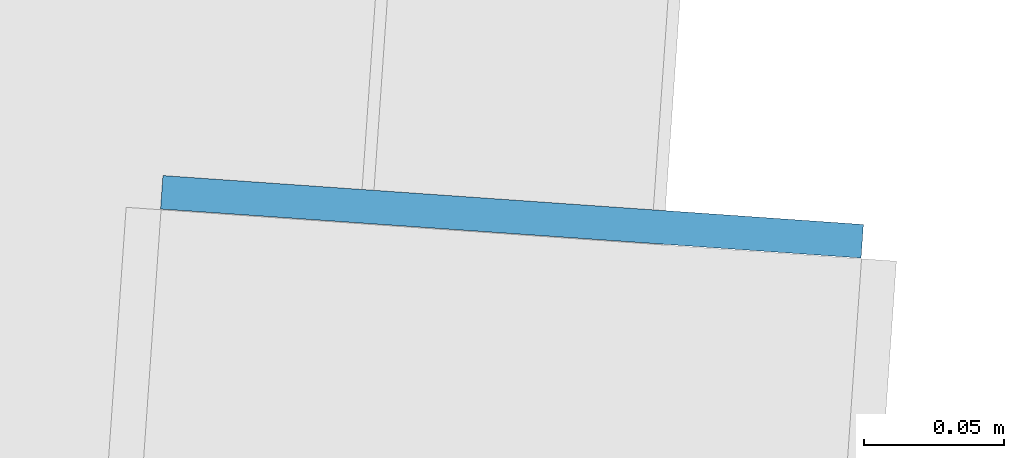
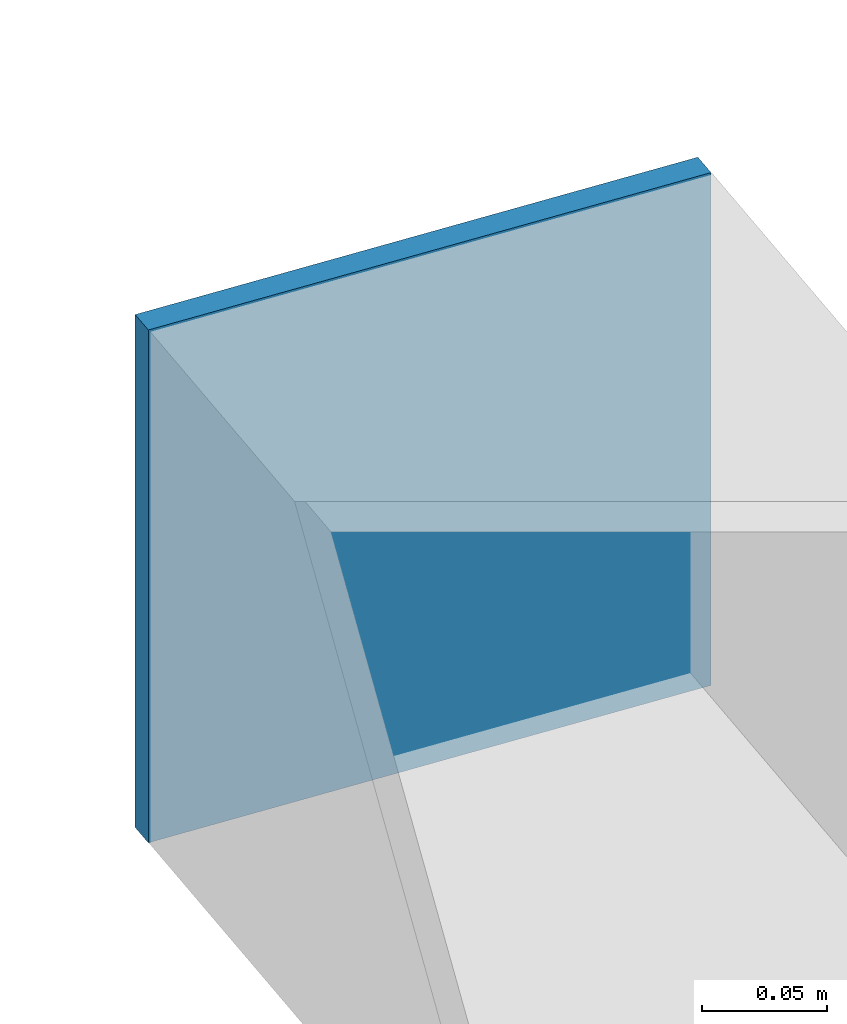
# One storey, part 34 of 39: 1 plate.
"""IFC4 building model written with IfcOpenShell, lengths in metres."""

from ifc_helpers import new_model, si_unit, direction, frame, origin, origin_2d, place, context, subcontext, project, spatial, rectangle, extrude, source, transform, mapped, material, layer, layer_set, type_object, element, save


model = new_model("IFC4")

# Units and contexts
model_context = context("Model", 3, precision=1e-05, world=origin(), true_north=direction((0.0, 1.0)))
body_context = subcontext(model_context, "Body", "Model", "MODEL_VIEW")
ifc_project = project(units=[si_unit("LENGTHUNIT", "METRE"), si_unit("AREAUNIT", "SQUARE_METRE"), si_unit("VOLUMEUNIT", "CUBIC_METRE"), si_unit("PLANEANGLEUNIT", "RADIAN"), si_unit("MASSUNIT", "GRAM", prefix="KILO")], contexts=[model_context])

# Site, building, storey
site_placement = place(None, origin())
site = spatial("IfcSite", under=ifc_project, at=site_placement, CompositionType="ELEMENT")
building_placement = place(site_placement, origin())
building = spatial("IfcBuilding", under=site, at=building_placement, Name="Taldren Reach Tower", CompositionType="ELEMENT")
storey_placement = place(building_placement, frame((0.0, 0.0, 120.39990234375)))
storey = spatial("IfcBuildingStorey", under=building, at=storey_placement, Name="L36", CompositionType="ELEMENT", Elevation=120.39990234375)

# Plate
ifc_material = material(Name="Steel Gr 350 (C350L0)", Category="steel")
ifc_layer = layer(ifc_material, 0.011962890625)
ifc_layer_set = layer_set([ifc_layer], Name="Steel Gr 350 (C350L0)")
plate_type = type_object("IfcPlateType", Name="PL-CAP-250", PredefinedType="SHEET", material=ifc_layer_set)
shared_shape = source(origin(), body_context, "Body", "SweptSolid", [
    extrude(rectangle(XDim=0.25, YDim=0.011962890625, at=origin_2d()), origin(), (0.0, 0.0, 1.0), 0.25),
])
plate_placement = place(storey_placement, frame((58.544921875, 36.413818359375, 0.09521484375), z_axis=(0.0, 0.0, 1.0), x_axis=(0.99756405026, -0.069756473744, 0.0)))
element("IfcPlate", 1, at=plate_placement, inside=storey, type_object=plate_type, Name="Tie strut end cap plate B3-N6 L36", PredefinedType="SHEET", context=body_context, shape_type="MappedRepresentation", body=[
    mapped(shared_shape, transform((0.0, 0.0, 0.0), scale=1.0)),
])

save(model, "model.ifc")
